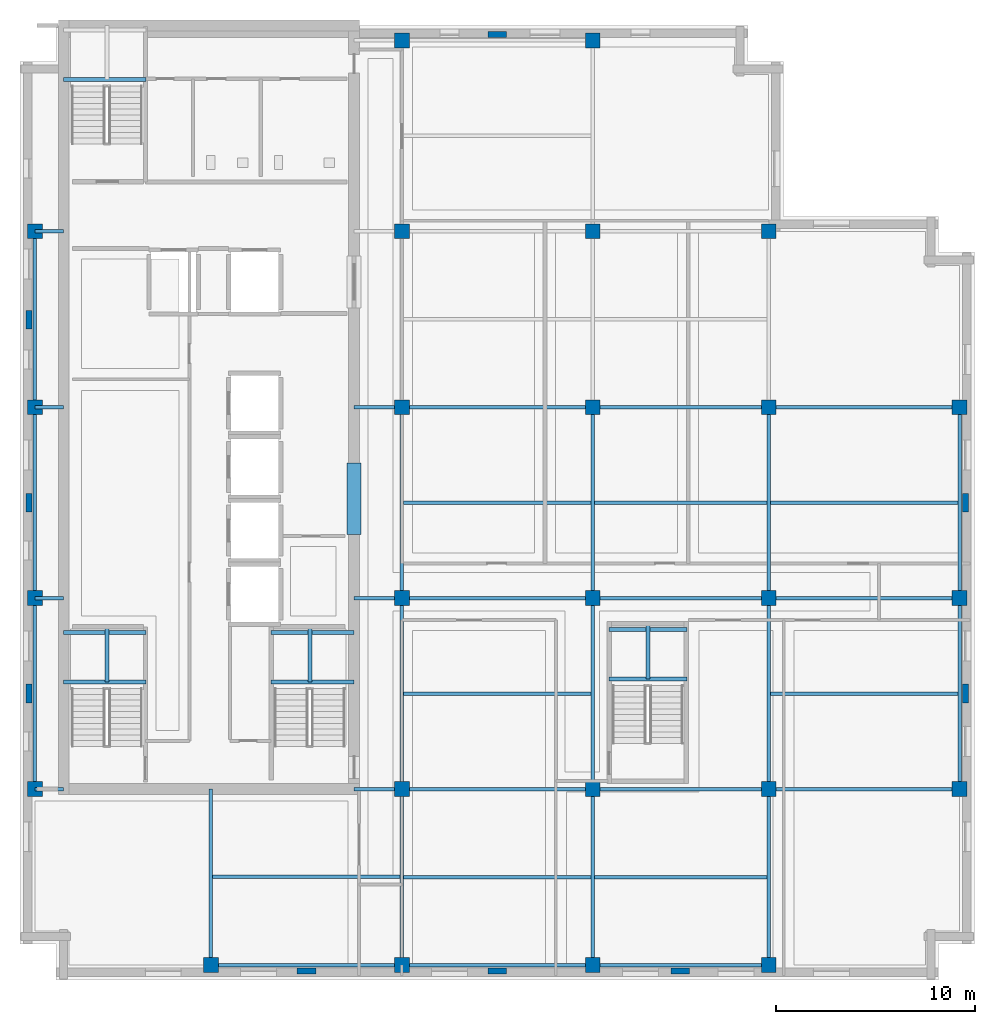
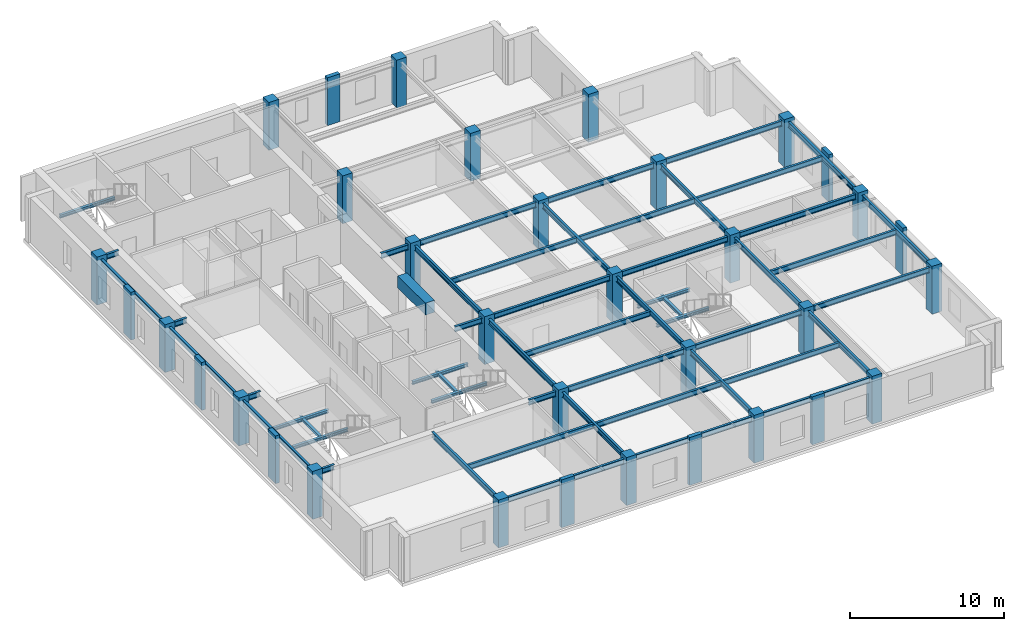
# One storey, part 1 of 10: 53 beams, 34 columns.
"""IFC4 building model written with IfcOpenShell, lengths in metres."""

from ifc_helpers import new_model, si_unit, direction, frame, origin, origin_2d, place, context, subcontext, project, spatial, rectangle, i_section, extrude, material, material_profile, profile_set, type_object, element, save


model = new_model("IFC4")

# Units and contexts
model_context = context("Model", 3, precision=1e-05, world=origin(), true_north=direction((0.0, 1.0)))
body_context = subcontext(model_context, "Body", "Model", "MODEL_VIEW")
ifc_project = project(units=[si_unit("LENGTHUNIT", "METRE"), si_unit("AREAUNIT", "SQUARE_METRE"), si_unit("VOLUMEUNIT", "CUBIC_METRE"), si_unit("PLANEANGLEUNIT", "RADIAN"), si_unit("MASSUNIT", "GRAM", prefix="KILO")], contexts=[model_context])

# Site, building, storey
site_placement = place(None, origin())
site = spatial("IfcSite", under=ifc_project, at=site_placement, CompositionType="ELEMENT")
building_placement = place(site_placement, origin())
building = spatial("IfcBuilding", under=site, at=building_placement, Name="Norrvale University Quadrangle", CompositionType="ELEMENT")
storey_placement = place(building_placement, frame((0.0, 0.0, 265.800048828125)))
storey = spatial("IfcBuildingStorey", under=building, at=storey_placement, Name="L67", CompositionType="ELEMENT", Elevation=265.800048828125)

# Columns
ifc_material_1 = material(Name="Red Manganese Brick Concrete C60/75", Category="concrete")
ifc_material_profile_1 = material_profile(ifc_material_1, rectangle(XDim=0.949951171875, YDim=0.300048828125, at=origin_2d()), Name="Red Manganese Brick Concrete C60/75")
ifc_profile_set_1 = profile_set([ifc_material_profile_1], Name="Red Manganese Brick Concrete C60/75")
column_type_1 = type_object("IfcColumnType", Name="Column Brick Pier 950x300", PredefinedType="PILASTER", material=ifc_profile_set_1)
for number, where, z_axis, x_axis, name in (
    (1, (0.449951171875, 14.39990234375, 0.0), (0.0, 0.0, 1.0), (0.0, 1.0, 0.0), "Exterior Brick Facade Pilaster L67-01"),
    (2, (0.449951171875, 24.0, 0.0), (0.0, 0.0, 1.0), (0.0, 1.0, 0.0), "Exterior Brick Facade Pilaster L67-02"),
    (3, (0.449951171875, 33.199951171875, 0.0), (0.0, 0.0, 1.0), (0.0, 1.0, 0.0), "Exterior Brick Facade Pilaster L67-03"),
    (4, (14.39990234375, 0.449951171875, 0.0), (0.0, 0.0, 1.0), (1.0, 0.0, 0.0), "Exterior Brick Facade Pilaster L67-04"),
    (5, (24.0, 0.449951171875, 0.0), (0.0, 0.0, 1.0), (1.0, 0.0, 0.0), "Exterior Brick Facade Pilaster L67-05"),
    (6, (33.199951171875, 0.449951171875, 0.0), (0.0, 0.0, 1.0), (1.0, 0.0, 0.0), "Exterior Brick Facade Pilaster L67-06"),
    (7, (47.550048828125, 14.39990234375, 0.0), (0.0, 0.0, 1.0), (0.0, 1.0, 0.0), "Exterior Brick Facade Pilaster L67-07"),
    (8, (47.550048828125, 24.0, 0.0), (0.0, 0.0, 1.0), (0.0, 1.0, 0.0), "Exterior Brick Facade Pilaster L67-08"),
    (9, (24.0, 47.550048828125, 0.0), (0.0, 0.0, 1.0), (1.0, 0.0, 0.0), "Exterior Brick Facade Pilaster L67-09"),
):
    element("IfcColumn", number, at=place(storey_placement, frame(where, z_axis=z_axis, x_axis=x_axis)), inside=storey, type_object=column_type_1, Name=name, PredefinedType="PILASTER", context=body_context, shape_type="SweptSolid", body=[
        extrude(rectangle(XDim=0.949951171875, YDim=0.300048828125, at=origin_2d()), origin(), (0.0, 0.0, 1.0), 3.800048828125),
    ])
ifc_material_2 = material(Name="Concrete C60/75", Category="concrete")
ifc_material_profile_2 = material_profile(ifc_material_2, rectangle(XDim=0.75, YDim=0.75, at=origin_2d()), Name="Concrete C60/75")
ifc_profile_set_2 = profile_set([ifc_material_profile_2], Name="Concrete C60/75")
column_type_2 = type_object("IfcColumnType", Name="Column Tower Z4 750x750", PredefinedType="COLUMN", material=ifc_profile_set_2)
for number, where, z_axis, x_axis, name in (
    (10, (0.75, 9.60009765625, 0.0), (0.0, 0.0, 1.0), (1.0, 0.0, 0.0), "Tower Column L67-T01"),
    (11, (0.75, 19.199951171875, 0.0), (0.0, 0.0, 1.0), (1.0, 0.0, 0.0), "Tower Column L67-T02"),
    (12, (0.75, 28.800048828125, 0.0), (0.0, 0.0, 1.0), (1.0, 0.0, 0.0), "Tower Column L67-T03"),
    (13, (0.75, 37.64990234375, 0.0), (0.0, 0.0, 1.0), (1.0, 0.0, 0.0), "Tower Column L67-T04"),
    (14, (9.60009765625, 0.75, 0.0), (0.0, 0.0, 1.0), (1.0, 0.0, 0.0), "Tower Column L67-T05"),
    (15, (19.199951171875, 0.75, 0.0), (0.0, 0.0, 1.0), (1.0, 0.0, 0.0), "Tower Column L67-T06"),
    (16, (19.199951171875, 9.60009765625, 0.0), (0.0, 0.0, 1.0), (1.0, 0.0, 0.0), "Tower Column L67-T07"),
    (17, (19.199951171875, 19.199951171875, 0.0), (0.0, 0.0, 1.0), (1.0, 0.0, 0.0), "Tower Column L67-T08"),
    (18, (19.199951171875, 28.800048828125, 0.0), (0.0, 0.0, 1.0), (1.0, 0.0, 0.0), "Tower Column L67-T09"),
    (19, (19.199951171875, 37.64990234375, 0.0), (0.0, 0.0, 1.0), (1.0, 0.0, 0.0), "Tower Column L67-T10"),
    (20, (19.199951171875, 47.25, 0.0), (0.0, 0.0, 1.0), (1.0, 0.0, 0.0), "Tower Column L67-T11"),
    (21, (28.800048828125, 0.75, 0.0), (0.0, 0.0, 1.0), (1.0, 0.0, 0.0), "Tower Column L67-T12"),
    (22, (28.800048828125, 9.60009765625, 0.0), (0.0, 0.0, 1.0), (1.0, 0.0, 0.0), "Tower Column L67-T13"),
    (23, (28.800048828125, 19.199951171875, 0.0), (0.0, 0.0, 1.0), (1.0, 0.0, 0.0), "Tower Column L67-T14"),
    (24, (28.800048828125, 28.800048828125, 0.0), (0.0, 0.0, 1.0), (1.0, 0.0, 0.0), "Tower Column L67-T15"),
    (25, (28.800048828125, 37.64990234375, 0.0), (0.0, 0.0, 1.0), (1.0, 0.0, 0.0), "Tower Column L67-T16"),
    (26, (28.800048828125, 47.25, 0.0), (0.0, 0.0, 1.0), (1.0, 0.0, 0.0), "Tower Column L67-T17"),
    (27, (37.64990234375, 0.75, 0.0), (0.0, 0.0, 1.0), (1.0, 0.0, 0.0), "Tower Column L67-T18"),
    (28, (37.64990234375, 9.60009765625, 0.0), (0.0, 0.0, 1.0), (1.0, 0.0, 0.0), "Tower Column L67-T19"),
    (29, (37.64990234375, 19.199951171875, 0.0), (0.0, 0.0, 1.0), (1.0, 0.0, 0.0), "Tower Column L67-T20"),
    (30, (37.64990234375, 28.800048828125, 0.0), (0.0, 0.0, 1.0), (1.0, 0.0, 0.0), "Tower Column L67-T21"),
    (31, (37.64990234375, 37.64990234375, 0.0), (0.0, 0.0, 1.0), (1.0, 0.0, 0.0), "Tower Column L67-T22"),
    (32, (47.25, 9.60009765625, 0.0), (0.0, 0.0, 1.0), (1.0, 0.0, 0.0), "Tower Column L67-T23"),
    (33, (47.25, 19.199951171875, 0.0), (0.0, 0.0, 1.0), (1.0, 0.0, 0.0), "Tower Column L67-T24"),
    (34, (47.25, 28.800048828125, 0.0), (0.0, 0.0, 1.0), (1.0, 0.0, 0.0), "Tower Column L67-T25"),
):
    element("IfcColumn", number, at=place(storey_placement, frame(where, z_axis=z_axis, x_axis=x_axis)), inside=storey, type_object=column_type_2, Name=name, PredefinedType="COLUMN", context=body_context, shape_type="SweptSolid", body=[
        extrude(rectangle(XDim=0.75, YDim=0.75, at=origin_2d()), origin(), (0.0, 0.0, 1.0), 3.800048828125),
    ])

# Beams
ifc_material_3 = material(Name="Steel 350W", Category="steel")
ifc_material_profile_3 = material_profile(ifc_material_3, i_section(OverallWidth=0.180908203125, OverallDepth=0.4169921875, WebThickness=0.010986328125, FlangeThickness=0.018310546875, FilletRadius=0.011962890625, at=origin_2d()), Name="Steel 350W")
ifc_profile_set_3 = profile_set([ifc_material_profile_3], Name="Steel 350W")
beam_type_1 = type_object("IfcBeamType", Name="Beam Atrium W410x85", PredefinedType="BEAM", material=ifc_profile_set_3)
beam_1_placement = place(storey_placement, frame((9.60009765625, 0.75, 3.33154296875), z_axis=(1.0, 0.0, 0.0), x_axis=(0.0, 1.0, 0.0)))
element("IfcBeam", 35, at=beam_1_placement, inside=storey, type_object=beam_type_1, Name="Beam Atrium W410x85 BM-L67-GX001", PredefinedType="BEAM", context=body_context, shape_type="SweptSolid", body=[
    extrude(i_section(OverallWidth=0.180908203125, OverallDepth=0.4169921875, WebThickness=0.010986328125, FlangeThickness=0.018310546875, FilletRadius=0.011962890625, at=origin_2d()), origin(), (0.0, 0.0, 1.0), 9.599853515625),
])
beam_2_placement = place(storey_placement, frame((19.199951171875, 0.75, 3.33154296875), z_axis=(1.0, 0.0, 0.0), x_axis=(0.0, 1.0, 0.0)))
element("IfcBeam", 36, at=beam_2_placement, inside=storey, type_object=beam_type_1, Name="Beam Atrium W410x85 BM-L67-GX002", PredefinedType="BEAM", context=body_context, shape_type="SweptSolid", body=[
    extrude(i_section(OverallWidth=0.180908203125, OverallDepth=0.4169921875, WebThickness=0.010986328125, FlangeThickness=0.018310546875, FilletRadius=0.011962890625, at=origin_2d()), origin(), (0.0, 0.0, 1.0), 9.60009765625),
])
beam_3_placement = place(storey_placement, frame((28.800048828125, 0.75, 3.33154296875), z_axis=(1.0, 0.0, 0.0), x_axis=(0.0, 1.0, 0.0)))
element("IfcBeam", 37, at=beam_3_placement, inside=storey, type_object=beam_type_1, Name="Beam Atrium W410x85 BM-L67-GX003", PredefinedType="BEAM", context=body_context, shape_type="SweptSolid", body=[
    extrude(i_section(OverallWidth=0.180908203125, OverallDepth=0.4169921875, WebThickness=0.010986328125, FlangeThickness=0.018310546875, FilletRadius=0.011962890625, at=origin_2d()), origin(), (0.0, 0.0, 1.0), 8.849853515625),
])
beam_4_placement = place(storey_placement, frame((19.199951171875, 9.60009765625, 3.33154296875), z_axis=(1.0, 0.0, 0.0), x_axis=(0.0, 1.0, 0.0)))
element("IfcBeam", 38, at=beam_4_placement, inside=storey, type_object=beam_type_1, Name="Beam Atrium W410x85 BM-L67-GX004", PredefinedType="BEAM", context=body_context, shape_type="SweptSolid", body=[
    extrude(i_section(OverallWidth=0.180908203125, OverallDepth=0.4169921875, WebThickness=0.010986328125, FlangeThickness=0.018310546875, FilletRadius=0.011962890625, at=origin_2d()), origin(), (0.0, 0.0, 1.0), 9.60009765625),
])
beam_5_placement = place(storey_placement, frame((28.800048828125, 9.60009765625, 3.33154296875), z_axis=(1.0, 0.0, 0.0), x_axis=(0.0, 1.0, 0.0)))
element("IfcBeam", 39, at=beam_5_placement, inside=storey, type_object=beam_type_1, Name="Beam Atrium W410x85 BM-L67-GX005", PredefinedType="BEAM", context=body_context, shape_type="SweptSolid", body=[
    extrude(i_section(OverallWidth=0.180908203125, OverallDepth=0.4169921875, WebThickness=0.010986328125, FlangeThickness=0.018310546875, FilletRadius=0.011962890625, at=origin_2d()), origin(), (0.0, 0.0, 1.0), 8.849853515625),
])
for number, where, z_axis, x_axis, name in (
    (40, (37.64990234375, 9.60009765625, 3.33154296875), (1.0, 0.0, 0.0), (0.0, 1.0, 0.0), "Beam Atrium W410x85 BM-L67-GX006"),
    (41, (19.199951171875, 19.199951171875, 3.33154296875), (1.0, 0.0, 0.0), (0.0, 1.0, 0.0), "Beam Atrium W410x85 BM-L67-GX007"),
):
    element("IfcBeam", number, at=place(storey_placement, frame(where, z_axis=z_axis, x_axis=x_axis)), inside=storey, type_object=beam_type_1, Name=name, PredefinedType="BEAM", context=body_context, shape_type="SweptSolid", body=[
        extrude(i_section(OverallWidth=0.180908203125, OverallDepth=0.4169921875, WebThickness=0.010986328125, FlangeThickness=0.018310546875, FilletRadius=0.011962890625, at=origin_2d()), origin(), (0.0, 0.0, 1.0), 9.60009765625),
    ])
beam_6_placement = place(storey_placement, frame((28.800048828125, 19.199951171875, 3.33154296875), z_axis=(1.0, 0.0, 0.0), x_axis=(0.0, 1.0, 0.0)))
element("IfcBeam", 42, at=beam_6_placement, inside=storey, type_object=beam_type_1, Name="Beam Atrium W410x85 BM-L67-GX008", PredefinedType="BEAM", context=body_context, shape_type="SweptSolid", body=[
    extrude(i_section(OverallWidth=0.180908203125, OverallDepth=0.4169921875, WebThickness=0.010986328125, FlangeThickness=0.018310546875, FilletRadius=0.011962890625, at=origin_2d()), origin(), (0.0, 0.0, 1.0), 8.849853515625),
])
for number, where, z_axis, x_axis, name in (
    (43, (37.64990234375, 19.199951171875, 3.33154296875), (1.0, 0.0, 0.0), (0.0, 1.0, 0.0), "Beam Atrium W410x85 BM-L67-GX009"),
    (44, (19.199951171875, 28.800048828125, 3.33154296875), (1.0, 0.0, 0.0), (0.0, 1.0, 0.0), "Beam Atrium W410x85 BM-L67-GX010"),
):
    element("IfcBeam", number, at=place(storey_placement, frame(where, z_axis=z_axis, x_axis=x_axis)), inside=storey, type_object=beam_type_1, Name=name, PredefinedType="BEAM", context=body_context, shape_type="SweptSolid", body=[
        extrude(i_section(OverallWidth=0.180908203125, OverallDepth=0.4169921875, WebThickness=0.010986328125, FlangeThickness=0.018310546875, FilletRadius=0.011962890625, at=origin_2d()), origin(), (0.0, 0.0, 1.0), 9.60009765625),
    ])
beam_7_placement = place(storey_placement, frame((28.800048828125, 28.800048828125, 3.33154296875), z_axis=(1.0, 0.0, 0.0), x_axis=(0.0, 1.0, 0.0)))
element("IfcBeam", 45, at=beam_7_placement, inside=storey, type_object=beam_type_1, Name="Beam Atrium W410x85 BM-L67-GX011", PredefinedType="BEAM", context=body_context, shape_type="SweptSolid", body=[
    extrude(i_section(OverallWidth=0.180908203125, OverallDepth=0.4169921875, WebThickness=0.010986328125, FlangeThickness=0.018310546875, FilletRadius=0.011962890625, at=origin_2d()), origin(), (0.0, 0.0, 1.0), 8.849853515625),
])
beam_8_placement = place(storey_placement, frame((37.64990234375, 28.800048828125, 3.33154296875), z_axis=(1.0, 0.0, 0.0), x_axis=(0.0, 1.0, 0.0)))
element("IfcBeam", 46, at=beam_8_placement, inside=storey, type_object=beam_type_1, Name="Beam Atrium W410x85 BM-L67-GX012", PredefinedType="BEAM", context=body_context, shape_type="SweptSolid", body=[
    extrude(i_section(OverallWidth=0.180908203125, OverallDepth=0.4169921875, WebThickness=0.010986328125, FlangeThickness=0.018310546875, FilletRadius=0.011962890625, at=origin_2d()), origin(), (0.0, 0.0, 1.0), 9.60009765625),
])
beam_9_placement = place(storey_placement, frame((0.75, 9.60009765625, 3.33154296875), z_axis=(0.0, 1.0, 0.0), x_axis=(-1.0, 0.0, 0.0)))
element("IfcBeam", 47, at=beam_9_placement, inside=storey, type_object=beam_type_1, Name="Beam Atrium W410x85 BM-L67-GY016", PredefinedType="BEAM", context=body_context, shape_type="SweptSolid", body=[
    extrude(i_section(OverallWidth=0.180908203125, OverallDepth=0.4169921875, WebThickness=0.010986328125, FlangeThickness=0.018310546875, FilletRadius=0.011962890625, at=origin_2d()), origin(), (0.0, 0.0, 1.0), 9.599853515625),
])
beam_10_placement = place(storey_placement, frame((0.75, 19.199951171875, 3.33154296875), z_axis=(0.0, 1.0, 0.0), x_axis=(-1.0, 0.0, 0.0)))
element("IfcBeam", 48, at=beam_10_placement, inside=storey, type_object=beam_type_1, Name="Beam Atrium W410x85 BM-L67-GY017", PredefinedType="BEAM", context=body_context, shape_type="SweptSolid", body=[
    extrude(i_section(OverallWidth=0.180908203125, OverallDepth=0.4169921875, WebThickness=0.010986328125, FlangeThickness=0.018310546875, FilletRadius=0.011962890625, at=origin_2d()), origin(), (0.0, 0.0, 1.0), 9.60009765625),
])
beam_11_placement = place(storey_placement, frame((0.75, 28.800048828125, 3.33154296875), z_axis=(0.0, 1.0, 0.0), x_axis=(-1.0, 0.0, 0.0)))
element("IfcBeam", 49, at=beam_11_placement, inside=storey, type_object=beam_type_1, Name="Beam Atrium W410x85 BM-L67-GY018", PredefinedType="BEAM", context=body_context, shape_type="SweptSolid", body=[
    extrude(i_section(OverallWidth=0.180908203125, OverallDepth=0.4169921875, WebThickness=0.010986328125, FlangeThickness=0.018310546875, FilletRadius=0.011962890625, at=origin_2d()), origin(), (0.0, 0.0, 1.0), 8.849853515625),
])
beam_12_placement = place(storey_placement, frame((19.199951171875, 0.75, 3.33154296875), z_axis=(0.0, 1.0, 0.0), x_axis=(-1.0, 0.0, 0.0)))
element("IfcBeam", 50, at=beam_12_placement, inside=storey, type_object=beam_type_1, Name="Beam Atrium W410x85 BM-L67-GY019", PredefinedType="BEAM", context=body_context, shape_type="SweptSolid", body=[
    extrude(i_section(OverallWidth=0.180908203125, OverallDepth=0.4169921875, WebThickness=0.010986328125, FlangeThickness=0.018310546875, FilletRadius=0.011962890625, at=origin_2d()), origin(), (0.0, 0.0, 1.0), 8.85009765625),
])
beam_13_placement = place(storey_placement, frame((19.199951171875, 9.60009765625, 3.33154296875), z_axis=(0.0, 1.0, 0.0), x_axis=(-1.0, 0.0, 0.0)))
element("IfcBeam", 51, at=beam_13_placement, inside=storey, type_object=beam_type_1, Name="Beam Atrium W410x85 BM-L67-GY020", PredefinedType="BEAM", context=body_context, shape_type="SweptSolid", body=[
    extrude(i_section(OverallWidth=0.180908203125, OverallDepth=0.4169921875, WebThickness=0.010986328125, FlangeThickness=0.018310546875, FilletRadius=0.011962890625, at=origin_2d()), origin(), (0.0, 0.0, 1.0), 9.599853515625),
])
beam_14_placement = place(storey_placement, frame((19.199951171875, 19.199951171875, 3.33154296875), z_axis=(0.0, 1.0, 0.0), x_axis=(-1.0, 0.0, 0.0)))
element("IfcBeam", 52, at=beam_14_placement, inside=storey, type_object=beam_type_1, Name="Beam Atrium W410x85 BM-L67-GY021", PredefinedType="BEAM", context=body_context, shape_type="SweptSolid", body=[
    extrude(i_section(OverallWidth=0.180908203125, OverallDepth=0.4169921875, WebThickness=0.010986328125, FlangeThickness=0.018310546875, FilletRadius=0.011962890625, at=origin_2d()), origin(), (0.0, 0.0, 1.0), 9.60009765625),
])
beam_15_placement = place(storey_placement, frame((28.800048828125, 0.75, 3.33154296875), z_axis=(0.0, 1.0, 0.0), x_axis=(-1.0, 0.0, 0.0)))
element("IfcBeam", 53, at=beam_15_placement, inside=storey, type_object=beam_type_1, Name="Beam Atrium W410x85 BM-L67-GY024", PredefinedType="BEAM", context=body_context, shape_type="SweptSolid", body=[
    extrude(i_section(OverallWidth=0.180908203125, OverallDepth=0.4169921875, WebThickness=0.010986328125, FlangeThickness=0.018310546875, FilletRadius=0.011962890625, at=origin_2d()), origin(), (0.0, 0.0, 1.0), 8.85009765625),
])
beam_16_placement = place(storey_placement, frame((28.800048828125, 9.60009765625, 3.33154296875), z_axis=(0.0, 1.0, 0.0), x_axis=(-1.0, 0.0, 0.0)))
element("IfcBeam", 54, at=beam_16_placement, inside=storey, type_object=beam_type_1, Name="Beam Atrium W410x85 BM-L67-GY025", PredefinedType="BEAM", context=body_context, shape_type="SweptSolid", body=[
    extrude(i_section(OverallWidth=0.180908203125, OverallDepth=0.4169921875, WebThickness=0.010986328125, FlangeThickness=0.018310546875, FilletRadius=0.011962890625, at=origin_2d()), origin(), (0.0, 0.0, 1.0), 9.599853515625),
])
beam_17_placement = place(storey_placement, frame((28.800048828125, 19.199951171875, 3.33154296875), z_axis=(0.0, 1.0, 0.0), x_axis=(-1.0, 0.0, 0.0)))
element("IfcBeam", 55, at=beam_17_placement, inside=storey, type_object=beam_type_1, Name="Beam Atrium W410x85 BM-L67-GY026", PredefinedType="BEAM", context=body_context, shape_type="SweptSolid", body=[
    extrude(i_section(OverallWidth=0.180908203125, OverallDepth=0.4169921875, WebThickness=0.010986328125, FlangeThickness=0.018310546875, FilletRadius=0.011962890625, at=origin_2d()), origin(), (0.0, 0.0, 1.0), 9.60009765625),
])
beam_18_placement = place(storey_placement, frame((37.64990234375, 0.75, 3.33154296875), z_axis=(0.0, 1.0, 0.0), x_axis=(-1.0, 0.0, 0.0)))
element("IfcBeam", 56, at=beam_18_placement, inside=storey, type_object=beam_type_1, Name="Beam Atrium W410x85 BM-L67-GY029", PredefinedType="BEAM", context=body_context, shape_type="SweptSolid", body=[
    extrude(i_section(OverallWidth=0.180908203125, OverallDepth=0.4169921875, WebThickness=0.010986328125, FlangeThickness=0.018310546875, FilletRadius=0.011962890625, at=origin_2d()), origin(), (0.0, 0.0, 1.0), 8.85009765625),
])
beam_19_placement = place(storey_placement, frame((37.64990234375, 9.60009765625, 3.33154296875), z_axis=(0.0, 1.0, 0.0), x_axis=(-1.0, 0.0, 0.0)))
element("IfcBeam", 57, at=beam_19_placement, inside=storey, type_object=beam_type_1, Name="Beam Atrium W410x85 BM-L67-GY030", PredefinedType="BEAM", context=body_context, shape_type="SweptSolid", body=[
    extrude(i_section(OverallWidth=0.180908203125, OverallDepth=0.4169921875, WebThickness=0.010986328125, FlangeThickness=0.018310546875, FilletRadius=0.011962890625, at=origin_2d()), origin(), (0.0, 0.0, 1.0), 9.599853515625),
])
beam_20_placement = place(storey_placement, frame((37.64990234375, 19.199951171875, 3.33154296875), z_axis=(0.0, 1.0, 0.0), x_axis=(-1.0, 0.0, 0.0)))
element("IfcBeam", 58, at=beam_20_placement, inside=storey, type_object=beam_type_1, Name="Beam Atrium W410x85 BM-L67-GY031", PredefinedType="BEAM", context=body_context, shape_type="SweptSolid", body=[
    extrude(i_section(OverallWidth=0.180908203125, OverallDepth=0.4169921875, WebThickness=0.010986328125, FlangeThickness=0.018310546875, FilletRadius=0.011962890625, at=origin_2d()), origin(), (0.0, 0.0, 1.0), 9.60009765625),
])
beam_21_placement = place(storey_placement, frame((47.25, 9.60009765625, 3.33154296875), z_axis=(0.0, 1.0, 0.0), x_axis=(-1.0, 0.0, 0.0)))
element("IfcBeam", 59, at=beam_21_placement, inside=storey, type_object=beam_type_1, Name="Beam Atrium W410x85 BM-L67-GY033", PredefinedType="BEAM", context=body_context, shape_type="SweptSolid", body=[
    extrude(i_section(OverallWidth=0.180908203125, OverallDepth=0.4169921875, WebThickness=0.010986328125, FlangeThickness=0.018310546875, FilletRadius=0.011962890625, at=origin_2d()), origin(), (0.0, 0.0, 1.0), 9.599853515625),
])
beam_22_placement = place(storey_placement, frame((47.25, 19.199951171875, 3.33154296875), z_axis=(0.0, 1.0, 0.0), x_axis=(-1.0, 0.0, 0.0)))
element("IfcBeam", 60, at=beam_22_placement, inside=storey, type_object=beam_type_1, Name="Beam Atrium W410x85 BM-L67-GY034", PredefinedType="BEAM", context=body_context, shape_type="SweptSolid", body=[
    extrude(i_section(OverallWidth=0.180908203125, OverallDepth=0.4169921875, WebThickness=0.010986328125, FlangeThickness=0.018310546875, FilletRadius=0.011962890625, at=origin_2d()), origin(), (0.0, 0.0, 1.0), 9.60009765625),
])
beam_23_placement = place(storey_placement, frame((0.75, 9.60009765625, 3.33154296875), z_axis=(1.0, 0.0, 0.0), x_axis=(0.0, 1.0, 0.0)))
element("IfcBeam", 61, at=beam_23_placement, inside=storey, type_object=beam_type_1, Name="Beam Atrium W410x85 BM-L67-GCW035", PredefinedType="BEAM", context=body_context, shape_type="SweptSolid", body=[
    extrude(i_section(OverallWidth=0.180908203125, OverallDepth=0.4169921875, WebThickness=0.010986328125, FlangeThickness=0.018310546875, FilletRadius=0.011962890625, at=origin_2d()), origin(), (0.0, 0.0, 1.0), 1.449951171875),
])
beam_24_placement = place(storey_placement, frame((16.800048828125, 9.60009765625, 3.33154296875), z_axis=(1.0, 0.0, 0.0), x_axis=(0.0, 1.0, 0.0)))
element("IfcBeam", 62, at=beam_24_placement, inside=storey, type_object=beam_type_1, Name="Beam Atrium W410x85 BM-L67-GCE036", PredefinedType="BEAM", context=body_context, shape_type="SweptSolid", body=[
    extrude(i_section(OverallWidth=0.180908203125, OverallDepth=0.4169921875, WebThickness=0.010986328125, FlangeThickness=0.018310546875, FilletRadius=0.011962890625, at=origin_2d()), origin(), (0.0, 0.0, 1.0), 2.39990234375),
])
beam_25_placement = place(storey_placement, frame((0.75, 19.199951171875, 3.33154296875), z_axis=(1.0, 0.0, 0.0), x_axis=(0.0, 1.0, 0.0)))
element("IfcBeam", 63, at=beam_25_placement, inside=storey, type_object=beam_type_1, Name="Beam Atrium W410x85 BM-L67-GCW037", PredefinedType="BEAM", context=body_context, shape_type="SweptSolid", body=[
    extrude(i_section(OverallWidth=0.180908203125, OverallDepth=0.4169921875, WebThickness=0.010986328125, FlangeThickness=0.018310546875, FilletRadius=0.011962890625, at=origin_2d()), origin(), (0.0, 0.0, 1.0), 1.449951171875),
])
beam_26_placement = place(storey_placement, frame((16.800048828125, 19.199951171875, 3.33154296875), z_axis=(1.0, 0.0, 0.0), x_axis=(0.0, 1.0, 0.0)))
element("IfcBeam", 64, at=beam_26_placement, inside=storey, type_object=beam_type_1, Name="Beam Atrium W410x85 BM-L67-GCE038", PredefinedType="BEAM", context=body_context, shape_type="SweptSolid", body=[
    extrude(i_section(OverallWidth=0.180908203125, OverallDepth=0.4169921875, WebThickness=0.010986328125, FlangeThickness=0.018310546875, FilletRadius=0.011962890625, at=origin_2d()), origin(), (0.0, 0.0, 1.0), 2.39990234375),
])
beam_27_placement = place(storey_placement, frame((0.75, 28.800048828125, 3.33154296875), z_axis=(1.0, 0.0, 0.0), x_axis=(0.0, 1.0, 0.0)))
element("IfcBeam", 65, at=beam_27_placement, inside=storey, type_object=beam_type_1, Name="Beam Atrium W410x85 BM-L67-GCW039", PredefinedType="BEAM", context=body_context, shape_type="SweptSolid", body=[
    extrude(i_section(OverallWidth=0.180908203125, OverallDepth=0.4169921875, WebThickness=0.010986328125, FlangeThickness=0.018310546875, FilletRadius=0.011962890625, at=origin_2d()), origin(), (0.0, 0.0, 1.0), 1.449951171875),
])
beam_28_placement = place(storey_placement, frame((16.800048828125, 28.800048828125, 3.33154296875), z_axis=(1.0, 0.0, 0.0), x_axis=(0.0, 1.0, 0.0)))
element("IfcBeam", 66, at=beam_28_placement, inside=storey, type_object=beam_type_1, Name="Beam Atrium W410x85 BM-L67-GCE040", PredefinedType="BEAM", context=body_context, shape_type="SweptSolid", body=[
    extrude(i_section(OverallWidth=0.180908203125, OverallDepth=0.4169921875, WebThickness=0.010986328125, FlangeThickness=0.018310546875, FilletRadius=0.011962890625, at=origin_2d()), origin(), (0.0, 0.0, 1.0), 2.39990234375),
])
beam_29_placement = place(storey_placement, frame((0.75, 37.64990234375, 3.33154296875), z_axis=(1.0, 0.0, 0.0), x_axis=(0.0, 1.0, 0.0)))
element("IfcBeam", 67, at=beam_29_placement, inside=storey, type_object=beam_type_1, Name="Beam Atrium W410x85 BM-L67-GCW041", PredefinedType="BEAM", context=body_context, shape_type="SweptSolid", body=[
    extrude(i_section(OverallWidth=0.180908203125, OverallDepth=0.4169921875, WebThickness=0.010986328125, FlangeThickness=0.018310546875, FilletRadius=0.011962890625, at=origin_2d()), origin(), (0.0, 0.0, 1.0), 1.449951171875),
])
beam_30_placement = place(storey_placement, frame((9.60009765625, 0.75, 3.33154296875), z_axis=(0.0, 1.0, 0.0), x_axis=(-1.0, 0.0, 0.0)))
element("IfcBeam", 68, at=beam_30_placement, inside=storey, type_object=beam_type_1, Name="Beam Atrium W410x85 BM-L67-GCS054", PredefinedType="BEAM", context=body_context, shape_type="SweptSolid", body=[
    extrude(i_section(OverallWidth=0.180908203125, OverallDepth=0.4169921875, WebThickness=0.010986328125, FlangeThickness=0.018310546875, FilletRadius=0.011962890625, at=origin_2d()), origin(), (0.0, 0.0, 1.0), 8.85009765625),
])
ifc_material_4 = material(Name="Concrete C80/95", Category="concrete")
ifc_material_profile_4 = material_profile(ifc_material_4, rectangle(XDim=0.699951171875, YDim=0.949951171875, at=origin_2d()), Name="Concrete C80/95")
ifc_profile_set_4 = profile_set([ifc_material_profile_4], Name="Concrete C80/95")
beam_type_2 = type_object("IfcBeamType", Name="Beam Core Link 700x950", PredefinedType="LINTEL", material=ifc_profile_set_4)
beam_31_placement = place(storey_placement, frame((16.800048828125, 22.39990234375, 3.06494140625), z_axis=(0.0, 1.0, 0.0), x_axis=(-1.0, 0.0, 0.0)))
element("IfcBeam", 69, at=beam_31_placement, inside=storey, type_object=beam_type_2, Name="Core Coupling Lintel Beam L67-1", PredefinedType="LINTEL", context=body_context, shape_type="SweptSolid", body=[
    extrude(rectangle(XDim=0.699951171875, YDim=0.949951171875, at=origin_2d()), origin(), (0.0, 0.0, 1.0), 3.60009765625),
])
ifc_material_profile_5 = material_profile(ifc_material_3, i_section(OverallWidth=0.177978515625, OverallDepth=0.406982421875, WebThickness=0.0078125, FlangeThickness=0.0126953125, FilletRadius=0.011962890625, at=origin_2d()), Name="Steel 350W")
ifc_profile_set_5 = profile_set([ifc_material_profile_5], Name="Steel 350W")
beam_type_3 = type_object("IfcBeamType", Name="Beam Roof Purlin W410x60", PredefinedType="USERDEFINED", material=ifc_profile_set_5)
for number, where, z_axis, x_axis, name in (
    (70, (19.29052734375, 5.175048828125, 3.33642578125), (1.0, 0.0, 0.0), (0.0, 1.0, 0.0), "Beam Roof Purlin W410x60 BM-L67-J044"),
    (71, (19.29052734375, 14.39990234375, 3.33642578125), (1.0, 0.0, 0.0), (0.0, 1.0, 0.0), "Beam Roof Purlin W410x60 BM-L67-J045"),
    (72, (19.29052734375, 24.0, 3.33642578125), (1.0, 0.0, 0.0), (0.0, 1.0, 0.0), "Beam Roof Purlin W410x60 BM-L67-J046"),
):
    element("IfcBeam", number, at=place(storey_placement, frame(where, z_axis=z_axis, x_axis=x_axis)), inside=storey, type_object=beam_type_3, Name=name, ObjectType="PURLIN", PredefinedType="USERDEFINED", context=body_context, shape_type="SweptSolid", body=[
        extrude(i_section(OverallWidth=0.177978515625, OverallDepth=0.406982421875, WebThickness=0.0078125, FlangeThickness=0.0126953125, FilletRadius=0.011962890625, at=origin_2d()), origin(), (0.0, 0.0, 1.0), 9.4189453125),
    ])
for number, where, z_axis, x_axis, name in (
    (73, (28.890380859375, 5.175048828125, 3.33642578125), (1.0, 0.0, 0.0), (0.0, 1.0, 0.0), "Beam Roof Purlin W410x60 BM-L67-J049"),
    (74, (28.890380859375, 24.0, 3.33642578125), (1.0, 0.0, 0.0), (0.0, 1.0, 0.0), "Beam Roof Purlin W410x60 BM-L67-J050"),
):
    element("IfcBeam", number, at=place(storey_placement, frame(where, z_axis=z_axis, x_axis=x_axis)), inside=storey, type_object=beam_type_3, Name=name, ObjectType="PURLIN", PredefinedType="USERDEFINED", context=body_context, shape_type="SweptSolid", body=[
        extrude(i_section(OverallWidth=0.177978515625, OverallDepth=0.406982421875, WebThickness=0.0078125, FlangeThickness=0.0126953125, FilletRadius=0.011962890625, at=origin_2d()), origin(), (0.0, 0.0, 1.0), 8.669189453125),
    ])
for number, where, z_axis, x_axis, name in (
    (75, (37.740478515625, 14.39990234375, 3.33642578125), (1.0, 0.0, 0.0), (0.0, 1.0, 0.0), "Beam Roof Purlin W410x60 BM-L67-J052"),
    (76, (37.740478515625, 24.0, 3.33642578125), (1.0, 0.0, 0.0), (0.0, 1.0, 0.0), "Beam Roof Purlin W410x60 BM-L67-J053"),
):
    element("IfcBeam", number, at=place(storey_placement, frame(where, z_axis=z_axis, x_axis=x_axis)), inside=storey, type_object=beam_type_3, Name=name, ObjectType="PURLIN", PredefinedType="USERDEFINED", context=body_context, shape_type="SweptSolid", body=[
        extrude(i_section(OverallWidth=0.177978515625, OverallDepth=0.406982421875, WebThickness=0.0078125, FlangeThickness=0.0126953125, FilletRadius=0.011962890625, at=origin_2d()), origin(), (0.0, 0.0, 1.0), 9.4189453125),
    ])
beam_32_placement = place(storey_placement, frame((9.6904296875, 5.199951171875, 3.33642578125), z_axis=(1.0, 0.0, 0.0), x_axis=(0.0, 1.0, 0.0)))
element("IfcBeam", 77, at=beam_32_placement, inside=storey, type_object=beam_type_3, Name="Beam Roof Purlin W410x60 BM-L67-JCS055", ObjectType="PURLIN", PredefinedType="USERDEFINED", context=body_context, shape_type="SweptSolid", body=[
    extrude(i_section(OverallWidth=0.177978515625, OverallDepth=0.406982421875, WebThickness=0.0078125, FlangeThickness=0.0126953125, FilletRadius=0.011962890625, at=origin_2d()), origin(), (0.0, 0.0, 1.0), 9.419189453125),
])
ifc_material_profile_6 = material_profile(ifc_material_3, i_section(OverallWidth=0.201904296875, OverallDepth=0.2470703125, WebThickness=0.00732421875, FlangeThickness=0.010986328125, FilletRadius=0.011962890625, at=origin_2d()), Name="Steel 350W")
ifc_profile_set_6 = profile_set([ifc_material_profile_6], Name="Steel 350W")
beam_type_4 = type_object("IfcBeamType", Name="Beam Stair W250x49", PredefinedType="BEAM", material=ifc_profile_set_6)
for number, where, z_axis, x_axis, name in (
    (78, (2.199951171875, 14.989990234375, 1.576416015625), (1.0, 0.0, 0.0), (0.0, 1.0, 0.0), "Stair Mid-Landing Front Beam ST-01 L67"),
    (79, (2.199951171875, 17.469970703125, 1.576416015625), (1.0, 0.0, 0.0), (0.0, 1.0, 0.0), "Stair Mid-Landing Rear Beam ST-01 L67"),
    (80, (2.199951171875, 45.2900390625, 1.576416015625), (1.0, 0.0, 0.0), (0.0, 1.0, 0.0), "Stair Mid-Landing Front Beam ST-02 L67"),
):
    element("IfcBeam", number, at=place(storey_placement, frame(where, z_axis=z_axis, x_axis=x_axis)), inside=storey, type_object=beam_type_4, Name=name, PredefinedType="BEAM", context=body_context, shape_type="SweptSolid", body=[
        extrude(i_section(OverallWidth=0.201904296875, OverallDepth=0.2470703125, WebThickness=0.00732421875, FlangeThickness=0.010986328125, FilletRadius=0.011962890625, at=origin_2d()), origin(), (0.0, 0.0, 1.0), 4.14013671875),
    ])
for number, where, z_axis, x_axis, name in (
    (81, (12.610107421875, 14.989990234375, 1.576416015625), (1.0, 0.0, 0.0), (0.0, 1.0, 0.0), "Stair Mid-Landing Front Beam ST-03 L67"),
    (82, (12.610107421875, 17.469970703125, 1.576416015625), (1.0, 0.0, 0.0), (0.0, 1.0, 0.0), "Stair Mid-Landing Rear Beam ST-03 L67"),
):
    element("IfcBeam", number, at=place(storey_placement, frame(where, z_axis=z_axis, x_axis=x_axis)), inside=storey, type_object=beam_type_4, Name=name, PredefinedType="BEAM", context=body_context, shape_type="SweptSolid", body=[
        extrude(i_section(OverallWidth=0.201904296875, OverallDepth=0.2470703125, WebThickness=0.00732421875, FlangeThickness=0.010986328125, FilletRadius=0.011962890625, at=origin_2d()), origin(), (0.0, 0.0, 1.0), 4.18994140625),
    ])
for number, where, z_axis, x_axis, name in (
    (83, (29.610107421875, 15.139892578125, 1.576416015625), (1.0, 0.0, 0.0), (0.0, 1.0, 0.0), "Stair Mid-Landing Front Beam ST-04 L67"),
    (84, (29.610107421875, 17.6201171875, 1.576416015625), (1.0, 0.0, 0.0), (0.0, 1.0, 0.0), "Stair Mid-Landing Rear Beam ST-04 L67"),
):
    element("IfcBeam", number, at=place(storey_placement, frame(where, z_axis=z_axis, x_axis=x_axis)), inside=storey, type_object=beam_type_4, Name=name, PredefinedType="BEAM", context=body_context, shape_type="SweptSolid", body=[
        extrude(i_section(OverallWidth=0.201904296875, OverallDepth=0.2470703125, WebThickness=0.00732421875, FlangeThickness=0.010986328125, FilletRadius=0.011962890625, at=origin_2d()), origin(), (0.0, 0.0, 1.0), 3.929931640625),
    ])
ifc_material_profile_7 = material_profile(ifc_material_3, i_section(OverallWidth=0.202880859375, OverallDepth=0.202880859375, WebThickness=0.007080078125, FlangeThickness=0.010986328125, FilletRadius=0.010009765625, at=origin_2d()), Name="Steel 350W")
ifc_profile_set_7 = profile_set([ifc_material_profile_7], Name="Steel 350W")
beam_type_5 = type_object("IfcBeamType", Name="Beam Trim W200x46", PredefinedType="BEAM", material=ifc_profile_set_7)
for number, where, z_axis, x_axis, name in (
    (85, (4.375, 14.989990234375, 1.598388671875), (0.0, 1.0, 0.0), (-1.0, 0.0, 0.0), "Stair Mid-Landing Cross Beam ST-01 L67"),
    (86, (14.574951171875, 14.989990234375, 1.598388671875), (0.0, 1.0, 0.0), (-1.0, 0.0, 0.0), "Stair Mid-Landing Cross Beam ST-03 L67"),
    (87, (31.574951171875, 15.139892578125, 1.598388671875), (0.0, 1.0, 0.0), (-1.0, 0.0, 0.0), "Stair Mid-Landing Cross Beam ST-04 L67"),
):
    element("IfcBeam", number, at=place(storey_placement, frame(where, z_axis=z_axis, x_axis=x_axis)), inside=storey, type_object=beam_type_5, Name=name, PredefinedType="BEAM", context=body_context, shape_type="SweptSolid", body=[
        extrude(i_section(OverallWidth=0.202880859375, OverallDepth=0.202880859375, WebThickness=0.007080078125, FlangeThickness=0.010986328125, FilletRadius=0.010009765625, at=origin_2d()), origin(), (0.0, 0.0, 1.0), 2.800048828125),
    ])

save(model, "model.ifc")
